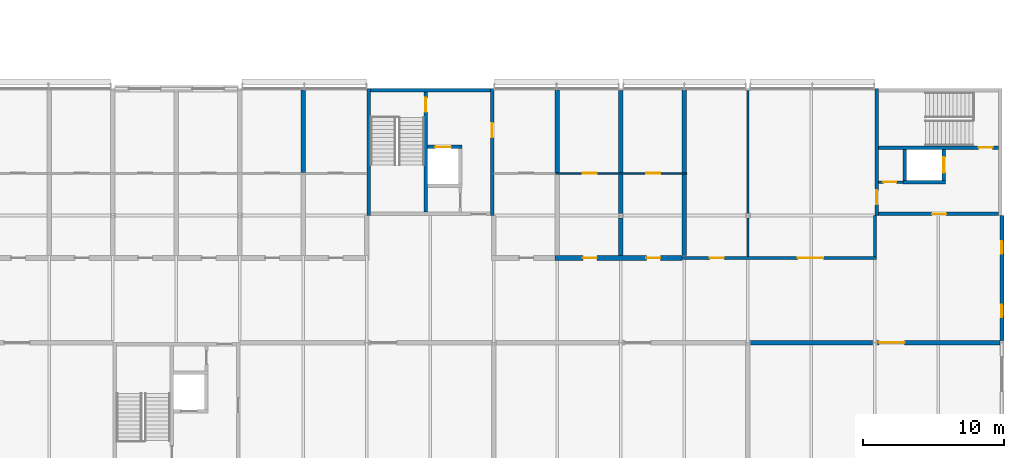
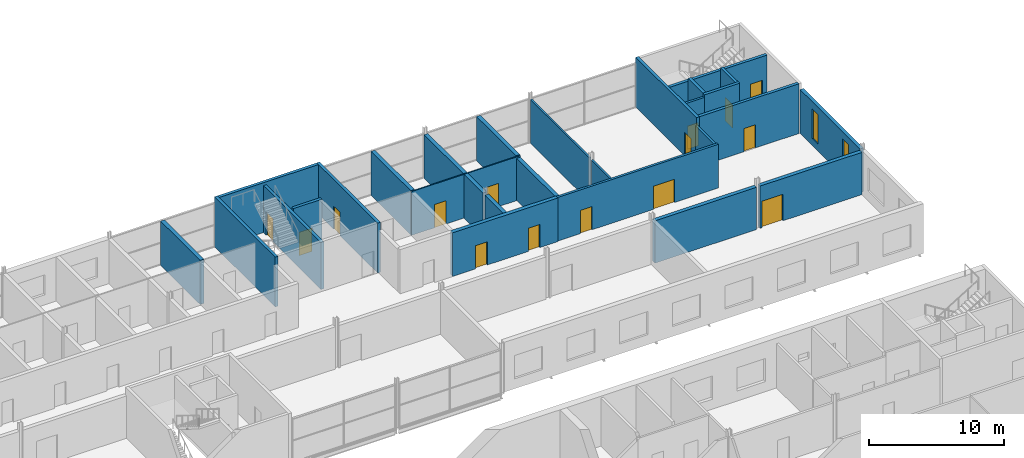
# One storey, part 86 of 97: 28 walls, 15 doors, 2 windows, 17 openings.
"""IFC4 building model written with IfcOpenShell, lengths in metres."""

from ifc_helpers import new_model, si_unit, direction, frame, frame_2d, origin, place, context, subcontext, project, spatial, rectangle, extrude, material, layer, layer_set, type_object, element, fill, save


model = new_model("IFC4")

# Units and contexts
model_context = context("Model", 3, precision=1e-05, world=origin(), true_north=direction((0.0, 1.0)))
body_context = subcontext(model_context, "Body", "Model", "MODEL_VIEW")
ifc_project = project(units=[si_unit("LENGTHUNIT", "METRE"), si_unit("AREAUNIT", "SQUARE_METRE"), si_unit("VOLUMEUNIT", "CUBIC_METRE"), si_unit("PLANEANGLEUNIT", "RADIAN"), si_unit("MASSUNIT", "GRAM", prefix="KILO")], contexts=[model_context])

# Site, building, storey
site_placement = place(None, origin())
site = spatial("IfcSite", under=ifc_project, at=site_placement, CompositionType="ELEMENT")
building_placement = place(site_placement, origin())
building = spatial("IfcBuilding", under=site, at=building_placement, Name="Corbel Yard City Hall", CompositionType="ELEMENT")
storey_placement = place(building_placement, frame((0.0, 0.0, 6.0)))
storey = spatial("IfcBuildingStorey", under=building, at=storey_placement, Name="L01", CompositionType="ELEMENT", Elevation=6.0)

# Wall
ifc_material_1 = material(Name="Concrete N50 (50 MPa)", Category="concrete")
ifc_layer_1 = layer(ifc_material_1, 0.25)
ifc_layer_set_1 = layer_set([ifc_layer_1], Name="Concrete N50 (50 MPa)")
wall_type_1 = type_object("IfcWallType", Name="Core cell wall 250", PredefinedType="SHEAR", material=ifc_layer_set_1)
wall_1_placement = place(storey_placement, frame((135.125, 108.0, 0.0), z_axis=(0.0, 0.0, 1.0), x_axis=(0.0, 1.0, 0.0)))
element("IfcWall", 1, at=wall_1_placement, inside=storey, type_object=wall_type_1, Name="Core PC-N3 west wall", PredefinedType="SHEAR", context=body_context, shape_type="SweptSolid", body=[
    extrude(rectangle(XDim=9.0, YDim=0.25, at=frame_2d((4.5, 0.0))), origin(), (0.0, 0.0, 1.0), 4.5),
])

# Wall, opening, door
wall_2_placement = place(storey_placement, frame((143.875, 108.0, 0.0), z_axis=(0.0, 0.0, 1.0), x_axis=(0.0, 1.0, 0.0)))
wall_2 = element("IfcWall", 2, at=wall_2_placement, inside=storey, type_object=wall_type_1, Name="Core PC-N3 east wall", PredefinedType="SHEAR", context=body_context, shape_type="SweptSolid", body=[
    extrude(rectangle(XDim=9.0, YDim=0.25, at=frame_2d((4.5, 0.0))), origin(), (0.0, 0.0, 1.0), 4.5),
])
opening_1_placement = place(wall_2_placement, frame((5.550048828125, 0.0, 0.0)))
opening_1 = element("IfcOpeningElement", 3, at=opening_1_placement, cuts=wall_2, Name="Opening L01-158", PredefinedType="OPENING", context=body_context, shape_type="SweptSolid", body=[
    extrude(rectangle(XDim=1.0, YDim=2.10009765625, at=frame_2d((0.5, 1.050048828125))), frame((0.0, 0.135009765625, 0.0), z_axis=(0.0, -1.0, 0.0), x_axis=(1.0, 0.0, 0.0)), (0.0, 0.0, 1.0), 0.27001953125),
])
ifc_material_2 = material(Name="Steel Grade G250", Category="steel")
door_type_1 = type_object("IfcDoorType", Name="FS1", OperationType="SINGLE_SWING_LEFT", PredefinedType="DOOR", material=ifc_material_2)
door_1_placement = place(opening_1_placement, frame((1.0, 0.0, 0.0), z_axis=(0.0, 0.0, 1.0), x_axis=(-1.0, 0.0, 0.0)))
door_1 = element("IfcDoor", 4, at=door_1_placement, inside=storey, type_object=door_type_1, Name="Door Lift Lobby", OperationType="SINGLE_SWING_RIGHT", OverallHeight=2.10009765625, OverallWidth=1.0, PredefinedType="DOOR", context=body_context, shape_type="SweptSolid", body=[
    extrude(rectangle(XDim=1.0, YDim=2.10009765625, at=frame_2d((0.5, 1.050048828125))), frame((0.0, 0.02490234375, 0.0), z_axis=(0.0, -1.0, 0.0), x_axis=(1.0, 0.0, 0.0)), (0.0, 0.0, 1.0), 0.050048828125),
])
fill(opening_1, door_1)

# Wall
wall_3_placement = place(storey_placement, frame((135.25, 116.875, 0.0), z_axis=(0.0, 0.0, 1.0), x_axis=(1.0, 0.0, 0.0)))
element("IfcWall", 5, at=wall_3_placement, inside=storey, type_object=wall_type_1, Name="Core PC-N3 north wall", PredefinedType="SHEAR", context=body_context, shape_type="SweptSolid", body=[
    extrude(rectangle(XDim=8.5, YDim=0.25, at=frame_2d((4.25, 0.0))), origin(), (0.0, 0.0, 1.0), 4.5),
])

# Wall, opening, door
wall_4_placement = place(storey_placement, frame((171.125, 108.0, 0.0), z_axis=(0.0, 0.0, 1.0), x_axis=(0.0, 1.0, 0.0)))
wall_4 = element("IfcWall", 6, at=wall_4_placement, inside=storey, type_object=wall_type_1, Name="Core PC-N4 west wall", PredefinedType="SHEAR", context=body_context, shape_type="SweptSolid", body=[
    extrude(rectangle(XDim=9.0, YDim=0.25, at=frame_2d((4.5, 0.0))), origin(), (0.0, 0.0, 1.0), 4.5),
])
opening_2_placement = place(wall_4_placement, frame((0.800048828125, 0.0, 0.0)))
opening_2 = element("IfcOpeningElement", 7, at=opening_2_placement, cuts=wall_4, Name="Opening L01-160", PredefinedType="OPENING", context=body_context, shape_type="SweptSolid", body=[
    extrude(rectangle(XDim=1.0, YDim=2.10009765625, at=frame_2d((0.5, 1.050048828125))), frame((0.0, 0.135009765625, 0.0), z_axis=(0.0, -1.0, 0.0), x_axis=(1.0, 0.0, 0.0)), (0.0, 0.0, 1.0), 0.27001953125),
])
door_2_placement = place(opening_2_placement, origin())
door_2 = element("IfcDoor", 8, at=door_2_placement, inside=storey, type_object=door_type_1, Name="Door Lift Lobby", OperationType="SINGLE_SWING_LEFT", OverallHeight=2.10009765625, OverallWidth=1.0, PredefinedType="DOOR", context=body_context, shape_type="SweptSolid", body=[
    extrude(rectangle(XDim=1.0, YDim=2.10009765625, at=frame_2d((0.5, 1.050048828125))), frame((0.0, 0.02490234375, 0.0), z_axis=(0.0, -1.0, 0.0), x_axis=(1.0, 0.0, 0.0)), (0.0, 0.0, 1.0), 0.050048828125),
])
fill(opening_2, door_2)

wall_5_placement = place(storey_placement, frame((171.25, 108.125, 0.0), z_axis=(0.0, 0.0, 1.0), x_axis=(1.0, 0.0, 0.0)))
wall_5 = element("IfcWall", 9, at=wall_5_placement, inside=storey, type_object=wall_type_1, Name="Core PC-N4 south wall", PredefinedType="SHEAR", context=body_context, shape_type="SweptSolid", body=[
    extrude(rectangle(XDim=8.5, YDim=0.25, at=frame_2d((4.25, 0.0))), origin(), (0.0, 0.0, 1.0), 4.5),
])
opening_3_placement = place(wall_5_placement, frame((3.800048828125, 0.0, 0.0)))
opening_3 = element("IfcOpeningElement", 10, at=opening_3_placement, cuts=wall_5, Name="Opening L01-159", PredefinedType="OPENING", context=body_context, shape_type="SweptSolid", body=[
    extrude(rectangle(XDim=1.0, YDim=2.10009765625, at=frame_2d((0.5, 1.050048828125))), frame((0.0, 0.135009765625, 0.0), z_axis=(0.0, -1.0, 0.0), x_axis=(1.0, 0.0, 0.0)), (0.0, 0.0, 1.0), 0.27001953125),
])
door_3_placement = place(opening_3_placement, origin())
door_3 = element("IfcDoor", 11, at=door_3_placement, inside=storey, type_object=door_type_1, Name="Door Lift Lobby", OperationType="SINGLE_SWING_RIGHT", OverallHeight=2.10009765625, OverallWidth=1.0, PredefinedType="DOOR", context=body_context, shape_type="SweptSolid", body=[
    extrude(rectangle(XDim=1.0, YDim=2.10009765625, at=frame_2d((0.5, 1.050048828125))), frame((0.0, 0.02490234375, 0.0), z_axis=(0.0, -1.0, 0.0), x_axis=(1.0, 0.0, 0.0)), (0.0, 0.0, 1.0), 0.050048828125),
])
fill(opening_3, door_3)

# Wall, openings, windows
ifc_material_3 = material(Name="Sandstone cladding", Category="masonry")
ifc_layer_2 = layer(ifc_material_3, 0.0400390625)
ifc_material_4 = material(Name="Air cavity", Category="air")
ifc_layer_3 = layer(ifc_material_4, 0.0400390625)
ifc_material_5 = material(Name="Concrete block", Category="concrete")
ifc_layer_4 = layer(ifc_material_5, 0.18994140625)
ifc_material_6 = material(Name="Gypsum plasterboard", Category="gypsum")
ifc_layer_5 = layer(ifc_material_6, 0.030029296875)
ifc_layer_set_2 = layer_set([ifc_layer_2, ifc_layer_3, ifc_layer_4, ifc_layer_5], Name="Concrete block")
wall_type_2 = type_object("IfcWallType", Name="EW1", PredefinedType="SOLIDWALL", material=ifc_layer_set_2)
wall_6_placement = place(storey_placement, frame((180.0, 99.1279296875, 0.0), z_axis=(0.0, 0.0, 1.0), x_axis=(0.0, 1.0, 0.0)))
wall_6 = element("IfcWall", 12, at=wall_6_placement, inside=storey, type_object=wall_type_2, Name="External wall", PredefinedType="SOLIDWALL", context=body_context, shape_type="SweptSolid", body=[
    extrude(rectangle(XDim=8.8720703125, YDim=0.300048828125, at=frame_2d((4.43603515625, 0.0))), origin(), (0.0, 0.0, 1.0), 3.947021484375),
])
opening_4_placement = place(wall_6_placement, frame((1.672119140625, 0.0, 0.60009765625)))
opening_4 = element("IfcOpeningElement", 13, at=opening_4_placement, cuts=wall_6, Name="Opening WN14", PredefinedType="OPENING", context=body_context, shape_type="SweptSolid", body=[
    extrude(rectangle(XDim=0.89990234375, YDim=2.699951171875, at=frame_2d((0.449951171875, 1.35009765625))), frame((0.0, 0.159912109375, 0.0), z_axis=(0.0, -1.0, 0.0), x_axis=(1.0, 0.0, 0.0)), (0.0, 0.0, 1.0), 0.320068359375),
])
opening_5_placement = place(wall_6_placement, frame((6.172119140625, 0.0, 0.60009765625)))
opening_5 = element("IfcOpeningElement", 14, at=opening_5_placement, cuts=wall_6, Name="Opening WN14", PredefinedType="OPENING", context=body_context, shape_type="SweptSolid", body=[
    extrude(rectangle(XDim=0.89990234375, YDim=2.699951171875, at=frame_2d((0.449951171875, 1.35009765625))), frame((0.0, 0.159912109375, 0.0), z_axis=(0.0, -1.0, 0.0), x_axis=(1.0, 0.0, 0.0)), (0.0, 0.0, 1.0), 0.320068359375),
])
ifc_material_7 = material(Name="Aluminium frame, double glazed low-e glass", Category="aluminium")
window_type = type_object("IfcWindowType", Name="WN14", PartitioningType="SINGLE_PANEL", PredefinedType="WINDOW", material=ifc_material_7)
window_1_placement = place(opening_4_placement, origin())
window_1 = element("IfcWindow", 15, at=window_1_placement, inside=storey, type_object=window_type, Name="Window WN14 L01", OverallHeight=2.699951171875, OverallWidth=0.89990234375, PartitioningType="SINGLE_PANEL", PredefinedType="WINDOW", context=body_context, shape_type="SweptSolid", body=[
    extrude(rectangle(XDim=0.89990234375, YDim=2.699951171875, at=frame_2d((0.449951171875, 1.35009765625))), frame((0.0, 0.030029296875, 0.0), z_axis=(0.0, -1.0, 0.0), x_axis=(1.0, 0.0, 0.0)), (0.0, 0.0, 1.0), 0.06005859375),
])
fill(opening_4, window_1)
window_2_placement = place(opening_5_placement, origin())
window_2 = element("IfcWindow", 16, at=window_2_placement, inside=storey, type_object=window_type, Name="Window WN14 L01", OverallHeight=2.699951171875, OverallWidth=0.89990234375, PartitioningType="SINGLE_PANEL", PredefinedType="WINDOW", context=body_context, shape_type="SweptSolid", body=[
    extrude(rectangle(XDim=0.89990234375, YDim=2.699951171875, at=frame_2d((0.449951171875, 1.35009765625))), frame((0.0, 0.030029296875, 0.0), z_axis=(0.0, -1.0, 0.0), x_axis=(1.0, 0.0, 0.0)), (0.0, 0.0, 1.0), 0.06005859375),
])
fill(opening_5, window_2)

# Wall, opening, door
ifc_material_8 = material(Name="Concrete N40 (40 MPa)", Category="concrete")
ifc_layer_6 = layer(ifc_material_8, 0.25)
ifc_layer_set_3 = layer_set([ifc_layer_6], Name="Concrete N40 (40 MPa)")
wall_type_3 = type_object("IfcWallType", Name="IW2", PredefinedType="SOLIDWALL", material=ifc_layer_set_3)
wall_7_placement = place(storey_placement, frame((139.175048828125, 116.75, 0.0), z_axis=(0.0, 0.0, 1.0), x_axis=(0.0, -1.0, 0.0)))
wall_7 = element("IfcWall", 17, at=wall_7_placement, inside=storey, type_object=wall_type_3, Name="Stair enclosure wall", PredefinedType="SOLIDWALL", context=body_context, shape_type="SweptSolid", body=[
    extrude(rectangle(XDim=8.5, YDim=0.25, at=frame_2d((4.25, 0.0))), origin(), (0.0, 0.0, 1.0), 4.25),
])
opening_6_placement = place(wall_7_placement, frame((0.39990234375, 0.0, 0.0)))
opening_6 = element("IfcOpeningElement", 18, at=opening_6_placement, cuts=wall_7, Name="Opening L01-145", PredefinedType="OPENING", context=body_context, shape_type="SweptSolid", body=[
    extrude(rectangle(XDim=1.0, YDim=2.10009765625, at=frame_2d((0.5, 1.050048828125))), frame((0.0, 0.135009765625, 0.0), z_axis=(0.0, -1.0, 0.0), x_axis=(1.0, 0.0, 0.0)), (0.0, 0.0, 1.0), 0.27001953125),
])
door_4_placement = place(opening_6_placement, frame((1.0, 0.0, 0.0), z_axis=(0.0, 0.0, 1.0), x_axis=(-1.0, 0.0, 0.0)))
door_4 = element("IfcDoor", 19, at=door_4_placement, inside=storey, type_object=door_type_1, Name="Door Exit Stair 18", OperationType="SINGLE_SWING_RIGHT", OverallHeight=2.10009765625, OverallWidth=1.0, PredefinedType="DOOR", context=body_context, shape_type="SweptSolid", body=[
    extrude(rectangle(XDim=1.0, YDim=2.10009765625, at=frame_2d((0.5, 1.050048828125))), frame((0.0, 0.02490234375, 0.0), z_axis=(0.0, -1.0, 0.0), x_axis=(1.0, 0.0, 0.0)), (0.0, 0.0, 1.0), 0.050048828125),
])
fill(opening_6, door_4)

wall_8_placement = place(storey_placement, frame((139.300048828125, 112.875, 0.0), z_axis=(0.0, 0.0, 1.0), x_axis=(1.0, 0.0, 0.0)))
wall_8 = element("IfcWall", 20, at=wall_8_placement, inside=storey, type_object=wall_type_3, Name="Lift LP18 shaft wall", PredefinedType="SOLIDWALL", context=body_context, shape_type="SweptSolid", body=[
    extrude(rectangle(XDim=2.449951171875, YDim=0.25, at=frame_2d((1.22509765625, 0.0))), origin(), (0.0, 0.0, 1.0), 4.5),
])
opening_7_placement = place(wall_8_placement, frame((0.550048828125, 0.0, 0.0)))
opening_7 = element("IfcOpeningElement", 21, at=opening_7_placement, cuts=wall_8, Name="Opening L01-137", PredefinedType="OPENING", context=body_context, shape_type="SweptSolid", body=[
    extrude(rectangle(XDim=1.10009765625, YDim=2.10009765625, at=frame_2d((0.550048828125, 1.050048828125))), frame((0.0, 0.135009765625, 0.0), z_axis=(0.0, -1.0, 0.0), x_axis=(1.0, 0.0, 0.0)), (0.0, 0.0, 1.0), 0.27001953125),
])
ifc_material_9 = material(Name="Stainless steel Grade 316", Category="steel")
door_type_2 = type_object("IfcDoorType", Name="LD1", OperationType="DOUBLE_DOOR_SLIDING", PredefinedType="DOOR", material=ifc_material_9)
door_5_placement = place(opening_7_placement, origin())
door_5 = element("IfcDoor", 22, at=door_5_placement, inside=storey, type_object=door_type_2, Name="Lift LP18 landing door", OperationType="DOUBLE_DOOR_SLIDING", OverallHeight=2.10009765625, OverallWidth=1.10009765625, PredefinedType="DOOR", context=body_context, shape_type="SweptSolid", body=[
    extrude(rectangle(XDim=1.10009765625, YDim=2.10009765625, at=frame_2d((0.550048828125, 1.050048828125))), frame((0.0, 0.02490234375, 0.0), z_axis=(0.0, -1.0, 0.0), x_axis=(1.0, 0.0, 0.0)), (0.0, 0.0, 1.0), 0.050048828125),
])
fill(opening_7, door_5)

wall_9_placement = place(storey_placement, frame((179.75, 112.824951171875, 0.0), z_axis=(0.0, 0.0, 1.0), x_axis=(-1.0, 0.0, 0.0)))
wall_9 = element("IfcWall", 23, at=wall_9_placement, inside=storey, type_object=wall_type_3, Name="Stair enclosure wall", PredefinedType="SOLIDWALL", context=body_context, shape_type="SweptSolid", body=[
    extrude(rectangle(XDim=8.5, YDim=0.25, at=frame_2d((4.25, 0.0))), origin(), (0.0, 0.0, 1.0), 4.25),
])
opening_8_placement = place(wall_9_placement, frame((0.39990234375, 0.0, 0.0)))
opening_8 = element("IfcOpeningElement", 24, at=opening_8_placement, cuts=wall_9, Name="Opening L01-147", PredefinedType="OPENING", context=body_context, shape_type="SweptSolid", body=[
    extrude(rectangle(XDim=1.0, YDim=2.10009765625, at=frame_2d((0.5, 1.050048828125))), frame((0.0, 0.135009765625, 0.0), z_axis=(0.0, -1.0, 0.0), x_axis=(1.0, 0.0, 0.0)), (0.0, 0.0, 1.0), 0.27001953125),
])
door_6_placement = place(opening_8_placement, frame((1.0, 0.0, 0.0), z_axis=(0.0, 0.0, 1.0), x_axis=(-1.0, 0.0, 0.0)))
door_6 = element("IfcDoor", 25, at=door_6_placement, inside=storey, type_object=door_type_1, Name="Door Exit Stair 19", OperationType="SINGLE_SWING_RIGHT", OverallHeight=2.10009765625, OverallWidth=1.0, PredefinedType="DOOR", context=body_context, shape_type="SweptSolid", body=[
    extrude(rectangle(XDim=1.0, YDim=2.10009765625, at=frame_2d((0.5, 1.050048828125))), frame((0.0, 0.02490234375, 0.0), z_axis=(0.0, -1.0, 0.0), x_axis=(1.0, 0.0, 0.0)), (0.0, 0.0, 1.0), 0.050048828125),
])
fill(opening_8, door_6)

# Walls
wall_10_placement = place(storey_placement, frame((173.0, 110.375, 0.0), z_axis=(0.0, 0.0, 1.0), x_axis=(1.0, 0.0, 0.0)))
element("IfcWall", 26, at=wall_10_placement, inside=storey, type_object=wall_type_3, Name="Lift LP19 shaft wall", PredefinedType="SOLIDWALL", context=body_context, shape_type="SweptSolid", body=[
    extrude(rectangle(XDim=3.0, YDim=0.25, at=frame_2d((1.5, 0.0))), origin(), (0.0, 0.0, 1.0), 4.5),
])
wall_11_placement = place(storey_placement, frame((173.125, 110.5, 0.0), z_axis=(0.0, 0.0, 1.0), x_axis=(0.0, 1.0, 0.0)))
element("IfcWall", 27, at=wall_11_placement, inside=storey, type_object=wall_type_3, Name="Lift LP19 shaft wall", PredefinedType="SOLIDWALL", context=body_context, shape_type="SweptSolid", body=[
    extrude(rectangle(XDim=2.199951171875, YDim=0.25, at=frame_2d((1.10009765625, 0.0))), origin(), (0.0, 0.0, 1.0), 4.5),
])

# Wall, opening, door
wall_12_placement = place(storey_placement, frame((175.875, 110.5, 0.0), z_axis=(0.0, 0.0, 1.0), x_axis=(0.0, 1.0, 0.0)))
wall_12 = element("IfcWall", 28, at=wall_12_placement, inside=storey, type_object=wall_type_3, Name="Lift LP19 shaft wall", PredefinedType="SOLIDWALL", context=body_context, shape_type="SweptSolid", body=[
    extrude(rectangle(XDim=2.199951171875, YDim=0.25, at=frame_2d((1.10009765625, 0.0))), origin(), (0.0, 0.0, 1.0), 4.5),
])
opening_9_placement = place(wall_12_placement, frame((0.550048828125, 0.0, 0.0)))
opening_9 = element("IfcOpeningElement", 29, at=opening_9_placement, cuts=wall_12, Name="Opening L01-138", PredefinedType="OPENING", context=body_context, shape_type="SweptSolid", body=[
    extrude(rectangle(XDim=1.10009765625, YDim=2.10009765625, at=frame_2d((0.550048828125, 1.050048828125))), frame((0.0, 0.135009765625, 0.0), z_axis=(0.0, -1.0, 0.0), x_axis=(1.0, 0.0, 0.0)), (0.0, 0.0, 1.0), 0.27001953125),
])
door_7_placement = place(opening_9_placement, origin())
door_7 = element("IfcDoor", 30, at=door_7_placement, inside=storey, type_object=door_type_2, Name="Lift LP19 landing door", OperationType="DOUBLE_DOOR_SLIDING", OverallHeight=2.10009765625, OverallWidth=1.10009765625, PredefinedType="DOOR", context=body_context, shape_type="SweptSolid", body=[
    extrude(rectangle(XDim=1.10009765625, YDim=2.10009765625, at=frame_2d((0.550048828125, 1.050048828125))), frame((0.0, 0.02490234375, 0.0), z_axis=(0.0, -1.0, 0.0), x_axis=(1.0, 0.0, 0.0)), (0.0, 0.0, 1.0), 0.050048828125),
])
fill(opening_9, door_7)

# Wall, openings, doors
ifc_layer_7 = layer(ifc_material_6, 0.031982421875)
ifc_material_10 = material(Name="Steel Grade G550 (550 MPa yield)", Category="steel")
ifc_layer_8 = layer(ifc_material_10, 0.135986328125)
ifc_layer_9 = layer(ifc_material_6, 0.031982421875)
ifc_layer_set_4 = layer_set([ifc_layer_7, ifc_layer_8, ifc_layer_9], Name="Steel Grade G550 (550 MPa yield)")
wall_type_4 = type_object("IfcWallType", Name="PT2", PredefinedType="PARTITIONING", material=ifc_layer_set_4)
wall_13_placement = place(storey_placement, frame((157.33740234375, 105.0, 0.0), z_axis=(0.0, 0.0, 1.0), x_axis=(1.0, 0.0, 0.0)))
wall_13 = element("IfcWall", 31, at=wall_13_placement, inside=storey, type_object=wall_type_4, Name="Acoustic wall", PredefinedType="PARTITIONING", context=body_context, shape_type="SweptSolid", body=[
    extrude(rectangle(XDim=13.7626953125, YDim=0.199951171875, at=frame_2d((6.88134765625, 0.0))), origin(), (0.0, 0.0, 1.0), 3.947021484375),
])
opening_10_placement = place(wall_13_placement, frame((8.21240234375, 0.0, 0.0)))
opening_10 = element("IfcOpeningElement", 32, at=opening_10_placement, cuts=wall_13, Name="Opening L01-220", PredefinedType="OPENING", context=body_context, shape_type="SweptSolid", body=[
    extrude(rectangle(XDim=1.800048828125, YDim=2.10009765625, at=frame_2d((0.89990234375, 1.050048828125))), frame((0.0, 0.10986328125, 0.0), z_axis=(0.0, -1.0, 0.0), x_axis=(1.0, 0.0, 0.0)), (0.0, 0.0, 1.0), 0.219970703125),
])
opening_11_placement = place(wall_13_placement, frame((1.96240234375, 0.0, 0.0)))
opening_11 = element("IfcOpeningElement", 33, at=opening_11_placement, cuts=wall_13, Name="Opening L01-221", PredefinedType="OPENING", context=body_context, shape_type="SweptSolid", body=[
    extrude(rectangle(XDim=1.0, YDim=2.10009765625, at=frame_2d((0.5, 1.050048828125))), frame((0.0, 0.10986328125, 0.0), z_axis=(0.0, -1.0, 0.0), x_axis=(1.0, 0.0, 0.0)), (0.0, 0.0, 1.0), 0.219970703125),
])
ifc_material_11 = material(Name="Timber", Category="wood")
door_type_3 = type_object("IfcDoorType", Name="D1", OperationType="SINGLE_SWING_LEFT", PredefinedType="DOOR", material=ifc_material_11)
door_8_placement = place(opening_11_placement, origin())
door_8 = element("IfcDoor", 34, at=door_8_placement, inside=storey, type_object=door_type_3, Name="Door Councillors' Meeting Room", OperationType="SINGLE_SWING_LEFT", OverallHeight=2.10009765625, OverallWidth=1.0, PredefinedType="DOOR", context=body_context, shape_type="SweptSolid", body=[
    extrude(rectangle(XDim=1.0, YDim=2.10009765625, at=frame_2d((0.5, 1.050048828125))), frame((0.0, 0.02490234375, 0.0), z_axis=(0.0, -1.0, 0.0), x_axis=(1.0, 0.0, 0.0)), (0.0, 0.0, 1.0), 0.050048828125),
])
fill(opening_11, door_8)
door_type_4 = type_object("IfcDoorType", Name="D3", OperationType="DOUBLE_DOOR_SINGLE_SWING", PredefinedType="DOOR", material=ifc_material_11)
door_9_placement = place(opening_10_placement, origin())
door_9 = element("IfcDoor", 35, at=door_9_placement, inside=storey, type_object=door_type_4, Name="Door Councillors' Lounge", OperationType="DOUBLE_DOOR_SINGLE_SWING", OverallHeight=2.10009765625, OverallWidth=1.800048828125, PredefinedType="DOOR", context=body_context, shape_type="SweptSolid", body=[
    extrude(rectangle(XDim=1.800048828125, YDim=2.10009765625, at=frame_2d((0.89990234375, 1.050048828125))), frame((0.0, 0.02490234375, 0.0), z_axis=(0.0, -1.0, 0.0), x_axis=(1.0, 0.0, 0.0)), (0.0, 0.0, 1.0), 0.050048828125),
])
fill(opening_10, door_9)

# Walls
wall_14_placement = place(storey_placement, frame((171.0, 105.10009765625, 0.0), z_axis=(0.0, 0.0, 1.0), x_axis=(0.0, 1.0, 0.0)))
element("IfcWall", 36, at=wall_14_placement, inside=storey, type_object=wall_type_4, Name="Acoustic wall", PredefinedType="PARTITIONING", context=body_context, shape_type="SweptSolid", body=[
    extrude(rectangle(XDim=2.89990234375, YDim=0.199951171875, at=frame_2d((1.449951171875, 0.0))), origin(), (0.0, 0.0, 1.0), 3.822021484375),
])
ifc_layer_10 = layer(ifc_material_6, 0.031982421875)
ifc_layer_11 = layer(ifc_material_10, 0.260986328125)
ifc_layer_12 = layer(ifc_material_6, 0.031982421875)
ifc_layer_set_5 = layer_set([ifc_layer_10, ifc_layer_11, ifc_layer_12], Name="Steel Grade G550 (550 MPa yield)")
wall_type_5 = type_object("IfcWallType", Name="PT20", PredefinedType="PARTITIONING", material=ifc_layer_set_5)
wall_15_placement = place(storey_placement, frame((162.157470703125, 99.0, 0.0), z_axis=(0.0, 0.0, 1.0), x_axis=(1.0, 0.0, 0.0)))
element("IfcWall", 37, at=wall_15_placement, inside=storey, type_object=wall_type_5, Name="Acoustic partition", PredefinedType="PARTITIONING", context=body_context, shape_type="SweptSolid", body=[
    extrude(rectangle(XDim=8.68505859375, YDim=0.324951171875, at=frame_2d((4.342529296875, 0.0))), origin(), (0.0, 0.0, 1.0), 3.822021484375),
])

# Wall, opening, door
wall_16_placement = place(storey_placement, frame((171.157470703125, 99.0, 0.0), z_axis=(0.0, 0.0, 1.0), x_axis=(1.0, 0.0, 0.0)))
wall_16 = element("IfcWall", 38, at=wall_16_placement, inside=storey, type_object=wall_type_5, Name="Acoustic partition", PredefinedType="PARTITIONING", context=body_context, shape_type="SweptSolid", body=[
    extrude(rectangle(XDim=8.712646484375, YDim=0.324951171875, at=frame_2d((4.3564453125, 0.0))), origin(), (0.0, 0.0, 1.0), 3.822021484375),
])
opening_12_placement = place(wall_16_placement, frame((0.142578125, 0.0, 0.0)))
opening_12 = element("IfcOpeningElement", 39, at=opening_12_placement, cuts=wall_16, Name="Opening L01-185", PredefinedType="OPENING", context=body_context, shape_type="SweptSolid", body=[
    extrude(rectangle(XDim=1.800048828125, YDim=2.39990234375, at=frame_2d((0.89990234375, 1.199951171875))), frame((0.0, 0.17236328125, 0.0), z_axis=(0.0, -1.0, 0.0), x_axis=(1.0, 0.0, 0.0)), (0.0, 0.0, 1.0), 0.344970703125),
])
door_type_5 = type_object("IfcDoorType", Name="D38", OperationType="DOUBLE_DOOR_SINGLE_SWING", PredefinedType="DOOR", material=ifc_material_11)
door_10_placement = place(opening_12_placement, origin())
door_10 = element("IfcDoor", 40, at=door_10_placement, inside=storey, type_object=door_type_5, Name="Door Committee Room 18", OperationType="DOUBLE_DOOR_SINGLE_SWING", OverallHeight=2.39990234375, OverallWidth=1.800048828125, PredefinedType="DOOR", context=body_context, shape_type="SweptSolid", body=[
    extrude(rectangle(XDim=1.800048828125, YDim=2.39990234375, at=frame_2d((0.89990234375, 1.199951171875))), frame((0.0, 0.02490234375, 0.0), z_axis=(0.0, -1.0, 0.0), x_axis=(1.0, 0.0, 0.0)), (0.0, 0.0, 1.0), 0.050048828125),
])
fill(opening_12, door_10)

# Wall, openings, doors
wall_17_placement = place(storey_placement, frame((148.33740234375, 105.0, 0.0), z_axis=(0.0, 0.0, 1.0), x_axis=(1.0, 0.0, 0.0)))
wall_17 = element("IfcWall", 41, at=wall_17_placement, inside=storey, type_object=wall_type_5, Name="Acoustic partition", PredefinedType="PARTITIONING", context=body_context, shape_type="SweptSolid", body=[
    extrude(rectangle(XDim=9.0, YDim=0.324951171875, at=frame_2d((4.5, 0.0))), origin(), (0.0, 0.0, 1.0), 3.947021484375),
])
opening_13_placement = place(wall_17_placement, frame((1.96240234375, 0.0, 0.0)))
opening_13 = element("IfcOpeningElement", 42, at=opening_13_placement, cuts=wall_17, Name="Opening L01-216", PredefinedType="OPENING", context=body_context, shape_type="SweptSolid", body=[
    extrude(rectangle(XDim=1.0, YDim=2.10009765625, at=frame_2d((0.5, 1.050048828125))), frame((0.0, 0.17236328125, 0.0), z_axis=(0.0, -1.0, 0.0), x_axis=(1.0, 0.0, 0.0)), (0.0, 0.0, 1.0), 0.344970703125),
])
opening_14_placement = place(wall_17_placement, frame((6.46240234375, 0.0, 0.0)))
opening_14 = element("IfcOpeningElement", 43, at=opening_14_placement, cuts=wall_17, Name="Opening L01-218", PredefinedType="OPENING", context=body_context, shape_type="SweptSolid", body=[
    extrude(rectangle(XDim=1.0, YDim=2.10009765625, at=frame_2d((0.5, 1.050048828125))), frame((0.0, 0.17236328125, 0.0), z_axis=(0.0, -1.0, 0.0), x_axis=(1.0, 0.0, 0.0)), (0.0, 0.0, 1.0), 0.344970703125),
])
door_11_placement = place(opening_13_placement, origin())
door_11 = element("IfcDoor", 44, at=door_11_placement, inside=storey, type_object=door_type_3, Name="Door Councillor's Assistant Room 16", OperationType="SINGLE_SWING_RIGHT", OverallHeight=2.10009765625, OverallWidth=1.0, PredefinedType="DOOR", context=body_context, shape_type="SweptSolid", body=[
    extrude(rectangle(XDim=1.0, YDim=2.10009765625, at=frame_2d((0.5, 1.050048828125))), frame((0.0, 0.02490234375, 0.0), z_axis=(0.0, -1.0, 0.0), x_axis=(1.0, 0.0, 0.0)), (0.0, 0.0, 1.0), 0.050048828125),
])
fill(opening_13, door_11)
door_12_placement = place(opening_14_placement, origin())
door_12 = element("IfcDoor", 45, at=door_12_placement, inside=storey, type_object=door_type_3, Name="Door Councillor's Assistant Room 17", OperationType="SINGLE_SWING_RIGHT", OverallHeight=2.10009765625, OverallWidth=1.0, PredefinedType="DOOR", context=body_context, shape_type="SweptSolid", body=[
    extrude(rectangle(XDim=1.0, YDim=2.10009765625, at=frame_2d((0.5, 1.050048828125))), frame((0.0, 0.02490234375, 0.0), z_axis=(0.0, -1.0, 0.0), x_axis=(1.0, 0.0, 0.0)), (0.0, 0.0, 1.0), 0.050048828125),
])
fill(opening_14, door_12)

# Walls
for number, where, z_axis, x_axis, name in (
    (46, (130.5, 111.050048828125, 0.0), (0.0, 0.0, 1.0), (0.0, 1.0, 0.0), "Acoustic partition"),
    (47, (148.5, 111.050048828125, 0.0), (0.0, 0.0, 1.0), (0.0, 1.0, 0.0), "Acoustic partition"),
):
    element("IfcWall", number, at=place(storey_placement, frame(where, z_axis=z_axis, x_axis=x_axis)), inside=storey, type_object=wall_type_5, Name=name, PredefinedType="PARTITIONING", context=body_context, shape_type="SweptSolid", body=[
        extrude(rectangle(XDim=5.849853515625, YDim=0.324951171875, at=frame_2d((2.9248046875, 0.0))), origin(), (0.0, 0.0, 1.0), 3.993896484375),
    ])
wall_18_placement = place(storey_placement, frame((153.0, 105.16259765625, 0.0), z_axis=(0.0, 0.0, 1.0), x_axis=(0.0, 1.0, 0.0)))
element("IfcWall", 48, at=wall_18_placement, inside=storey, type_object=wall_type_5, Name="Acoustic partition", PredefinedType="PARTITIONING", context=body_context, shape_type="SweptSolid", body=[
    extrude(rectangle(XDim=2.679931640625, YDim=0.324951171875, at=frame_2d((1.33984375, 0.0))), origin(), (0.0, 0.0, 1.0), 3.947021484375),
])
wall_19_placement = place(storey_placement, frame((153.0, 108.157470703125, 0.0), z_axis=(0.0, 0.0, 1.0), x_axis=(0.0, 1.0, 0.0)))
element("IfcWall", 49, at=wall_19_placement, inside=storey, type_object=wall_type_5, Name="Acoustic partition", PredefinedType="PARTITIONING", context=body_context, shape_type="SweptSolid", body=[
    extrude(rectangle(XDim=2.79248046875, YDim=0.324951171875, at=frame_2d((1.396240234375, 0.0))), origin(), (0.0, 0.0, 1.0), 3.947021484375),
])
wall_20_placement = place(storey_placement, frame((153.0, 111.050048828125, 0.0), z_axis=(0.0, 0.0, 1.0), x_axis=(0.0, 1.0, 0.0)))
element("IfcWall", 50, at=wall_20_placement, inside=storey, type_object=wall_type_5, Name="Acoustic partition", PredefinedType="PARTITIONING", context=body_context, shape_type="SweptSolid", body=[
    extrude(rectangle(XDim=5.820068359375, YDim=0.324951171875, at=frame_2d((2.91015625, 0.0))), origin(), (0.0, 0.0, 1.0), 3.947021484375),
])
wall_21_placement = place(storey_placement, frame((157.5, 105.16259765625, 0.0), z_axis=(0.0, 0.0, 1.0), x_axis=(0.0, 1.0, 0.0)))
element("IfcWall", 51, at=wall_21_placement, inside=storey, type_object=wall_type_5, Name="Acoustic partition", PredefinedType="PARTITIONING", context=body_context, shape_type="SweptSolid", body=[
    extrude(rectangle(XDim=5.787353515625, YDim=0.324951171875, at=frame_2d((2.8935546875, 0.0))), origin(), (0.0, 0.0, 1.0), 3.822021484375),
])
wall_22_placement = place(storey_placement, frame((157.5, 111.050048828125, 0.0), z_axis=(0.0, 0.0, 1.0), x_axis=(0.0, 1.0, 0.0)))
element("IfcWall", 52, at=wall_22_placement, inside=storey, type_object=wall_type_5, Name="Acoustic partition", PredefinedType="PARTITIONING", context=body_context, shape_type="SweptSolid", body=[
    extrude(rectangle(XDim=5.849853515625, YDim=0.324951171875, at=frame_2d((2.9248046875, 0.0))), origin(), (0.0, 0.0, 1.0), 3.993896484375),
])

# Wall, openings, doors
ifc_layer_13 = layer(ifc_material_6, 0.01806640625)
ifc_layer_14 = layer(ifc_material_10, 0.06396484375)
ifc_layer_15 = layer(ifc_material_6, 0.01806640625)
ifc_layer_set_6 = layer_set([ifc_layer_13, ifc_layer_14, ifc_layer_15], Name="Steel Grade G550 (550 MPa yield)")
wall_type_6 = type_object("IfcWallType", Name="PT23", PredefinedType="PARTITIONING", material=ifc_layer_set_6)
wall_23_placement = place(storey_placement, frame((148.33740234375, 111.0, 0.0), z_axis=(0.0, 0.0, 1.0), x_axis=(1.0, 0.0, 0.0)))
wall_23 = element("IfcWall", 53, at=wall_23_placement, inside=storey, type_object=wall_type_6, Name="Light partition", PredefinedType="PARTITIONING", context=body_context, shape_type="SweptSolid", body=[
    extrude(rectangle(XDim=9.3251953125, YDim=0.10009765625, at=frame_2d((4.66259765625, 0.0))), origin(), (0.0, 0.0, 1.0), 3.947021484375),
])
opening_15_placement = place(wall_23_placement, frame((1.96240234375, 0.0, 0.0)))
opening_15 = element("IfcOpeningElement", 54, at=opening_15_placement, cuts=wall_23, Name="Opening L01-217", PredefinedType="OPENING", context=body_context, shape_type="SweptSolid", body=[
    extrude(rectangle(XDim=1.0, YDim=2.10009765625, at=frame_2d((0.5, 1.050048828125))), frame((0.0, 0.06005859375, 0.0), z_axis=(0.0, -1.0, 0.0), x_axis=(1.0, 0.0, 0.0)), (0.0, 0.0, 1.0), 0.1201171875),
])
opening_16_placement = place(wall_23_placement, frame((6.46240234375, 0.0, 0.0)))
opening_16 = element("IfcOpeningElement", 55, at=opening_16_placement, cuts=wall_23, Name="Opening L01-219", PredefinedType="OPENING", context=body_context, shape_type="SweptSolid", body=[
    extrude(rectangle(XDim=1.0, YDim=2.10009765625, at=frame_2d((0.5, 1.050048828125))), frame((0.0, 0.06005859375, 0.0), z_axis=(0.0, -1.0, 0.0), x_axis=(1.0, 0.0, 0.0)), (0.0, 0.0, 1.0), 0.1201171875),
])
door_13_placement = place(opening_15_placement, origin())
door_13 = element("IfcDoor", 56, at=door_13_placement, inside=storey, type_object=door_type_3, Name="Door Councillor's Office 16", OperationType="SINGLE_SWING_RIGHT", OverallHeight=2.10009765625, OverallWidth=1.0, PredefinedType="DOOR", context=body_context, shape_type="SweptSolid", body=[
    extrude(rectangle(XDim=1.0, YDim=2.10009765625, at=frame_2d((0.5, 1.050048828125))), frame((0.0, 0.02490234375, 0.0), z_axis=(0.0, -1.0, 0.0), x_axis=(1.0, 0.0, 0.0)), (0.0, 0.0, 1.0), 0.050048828125),
])
fill(opening_15, door_13)
door_14_placement = place(opening_16_placement, origin())
door_14 = element("IfcDoor", 57, at=door_14_placement, inside=storey, type_object=door_type_3, Name="Door Councillor's Office 17", OperationType="SINGLE_SWING_RIGHT", OverallHeight=2.10009765625, OverallWidth=1.0, PredefinedType="DOOR", context=body_context, shape_type="SweptSolid", body=[
    extrude(rectangle(XDim=1.0, YDim=2.10009765625, at=frame_2d((0.5, 1.050048828125))), frame((0.0, 0.02490234375, 0.0), z_axis=(0.0, -1.0, 0.0), x_axis=(1.0, 0.0, 0.0)), (0.0, 0.0, 1.0), 0.050048828125),
])
fill(opening_16, door_14)

# Wall, opening, door
ifc_material_12 = material(Name="Concrete block", Category="concrete")
ifc_layer_16 = layer(ifc_material_12, 0.18994140625)
ifc_layer_set_7 = layer_set([ifc_layer_16], Name="Concrete block")
wall_type_7 = type_object("IfcWallType", Name="PT4", PredefinedType="PARTITIONING", material=ifc_layer_set_7)
wall_24_placement = place(storey_placement, frame((171.25, 110.375, 0.0), z_axis=(0.0, 0.0, 1.0), x_axis=(1.0, 0.0, 0.0)))
wall_24 = element("IfcWall", 58, at=wall_24_placement, inside=storey, type_object=wall_type_7, Name="Fire-resisting block wall", PredefinedType="PARTITIONING", context=body_context, shape_type="SweptSolid", body=[
    extrude(rectangle(XDim=1.75, YDim=0.18994140625, at=frame_2d((0.875, 0.0))), origin(), (0.0, 0.0, 1.0), 4.25),
])
opening_17_placement = place(wall_24_placement, frame((0.3525390625, 0.0, 0.0)))
opening_17 = element("IfcOpeningElement", 59, at=opening_17_placement, cuts=wall_24, Name="Opening L01-148", PredefinedType="OPENING", context=body_context, shape_type="SweptSolid", body=[
    extrude(rectangle(XDim=0.919921875, YDim=2.10009765625, at=frame_2d((0.4599609375, 1.050048828125))), frame((0.0, 0.10498046875, 0.0), z_axis=(0.0, -1.0, 0.0), x_axis=(1.0, 0.0, 0.0)), (0.0, 0.0, 1.0), 0.2099609375),
])
door_type_6 = type_object("IfcDoorType", Name="FS5", OperationType="SINGLE_SWING_RIGHT", PredefinedType="DOOR", material=ifc_material_2)
door_15_placement = place(opening_17_placement, origin())
door_15 = element("IfcDoor", 60, at=door_15_placement, inside=storey, type_object=door_type_6, Name="Door Service Riser", OperationType="SINGLE_SWING_LEFT", OverallHeight=2.10009765625, OverallWidth=0.919921875, PredefinedType="DOOR", context=body_context, shape_type="SweptSolid", body=[
    extrude(rectangle(XDim=0.919921875, YDim=2.10009765625, at=frame_2d((0.4599609375, 1.050048828125))), frame((0.0, 0.02490234375, 0.0), z_axis=(0.0, -1.0, 0.0), x_axis=(1.0, 0.0, 0.0)), (0.0, 0.0, 1.0), 0.050048828125),
])
fill(opening_17, door_15)

# Walls
ifc_layer_17 = layer(ifc_material_6, 0.031982421875)
ifc_layer_18 = layer(ifc_material_10, 0.0859375)
ifc_layer_19 = layer(ifc_material_6, 0.031982421875)
ifc_layer_set_8 = layer_set([ifc_layer_17, ifc_layer_18, ifc_layer_19], Name="Steel Grade G550 (550 MPa yield)")
wall_type_8 = type_object("IfcWallType", Name="PT7", PredefinedType="PARTITIONING", material=ifc_layer_set_8)
wall_25_placement = place(storey_placement, frame((162.0, 105.10009765625, 0.0), z_axis=(0.0, 0.0, 1.0), x_axis=(0.0, 1.0, 0.0)))
element("IfcWall", 61, at=wall_25_placement, inside=storey, type_object=wall_type_8, Name="Suite partition", PredefinedType="PARTITIONING", context=body_context, shape_type="SweptSolid", body=[
    extrude(rectangle(XDim=2.742431640625, YDim=0.14990234375, at=frame_2d((1.37109375, 0.0))), origin(), (0.0, 0.0, 1.0), 3.947021484375),
])
wall_26_placement = place(storey_placement, frame((162.0, 108.157470703125, 0.0), z_axis=(0.0, 0.0, 1.0), x_axis=(0.0, 1.0, 0.0)))
element("IfcWall", 62, at=wall_26_placement, inside=storey, type_object=wall_type_8, Name="Suite partition", PredefinedType="PARTITIONING", context=body_context, shape_type="SweptSolid", body=[
    extrude(rectangle(XDim=8.712646484375, YDim=0.14990234375, at=frame_2d((4.3564453125, 0.0))), origin(), (0.0, 0.0, 1.0), 3.947021484375),
])

save(model, "model.ifc")
